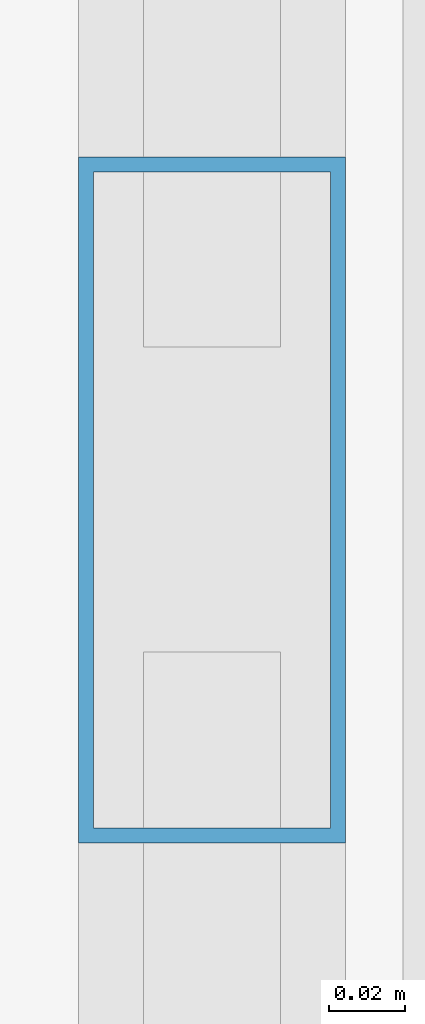
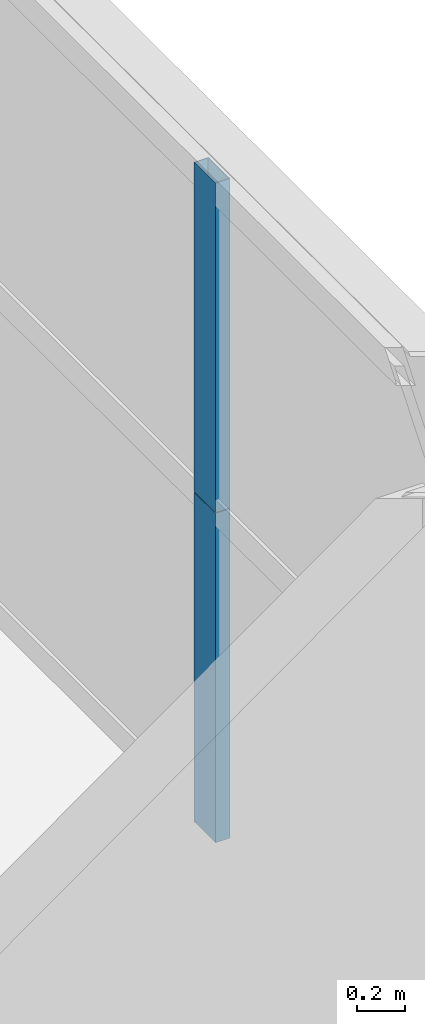
# One storey, part 28 of 38: 2 members, 1 element without a shape of its own.
"""IFC4 building model written with IfcOpenShell, lengths in metres."""

from ifc_helpers import new_model, si_unit, direction, frame, origin, origin_2d, place, context, subcontext, project, spatial, hollow_rectangle, extrude, source, transform, mapped, material, layer, layer_set, material_profile, profile_set, type_object, element, aggregate, save


model = new_model("IFC4")

# Units and contexts
model_context = context("Model", 3, precision=1e-05, world=origin(), true_north=direction((0.0, 1.0)))
body_context = subcontext(model_context, "Body", "Model", "MODEL_VIEW")
ifc_project = project(units=[si_unit("LENGTHUNIT", "METRE"), si_unit("AREAUNIT", "SQUARE_METRE"), si_unit("VOLUMEUNIT", "CUBIC_METRE"), si_unit("PLANEANGLEUNIT", "RADIAN"), si_unit("MASSUNIT", "GRAM", prefix="KILO"), si_unit("THERMODYNAMICTEMPERATUREUNIT", "KELVIN"), si_unit("POWERUNIT", "WATT")], contexts=[model_context])

# Site, building, storey
site_placement = place(None, origin())
site = spatial("IfcSite", under=ifc_project, at=site_placement, CompositionType="ELEMENT")
building_placement = place(site_placement, origin())
building = spatial("IfcBuilding", under=site, at=building_placement, Name="Yuzanri Waterfront Tower", CompositionType="ELEMENT")
storey_placement = place(building_placement, frame((0.0, 0.0, 119.0)))
storey = spatial("IfcBuildingStorey", under=building, at=storey_placement, Name="L31", CompositionType="ELEMENT", Elevation=119.0)

# Curtain wall, members
ifc_material_1 = material(Name="Anodized Architectural Bronze", Category="metal")
ifc_layer = layer(ifc_material_1, 0.159912109375)
ifc_layer_set = layer_set([ifc_layer], Name="Anodized Architectural Bronze")
curtain_wall_type = type_object("IfcCurtainWallType", Name="Anodized Bronze Hotel Upper-Tier Solar-Control Unitized Curtain Wall 7800", PredefinedType="NOTDEFINED", material=ifc_layer_set)
curtain_wall_placement = place(storey_placement, origin())
curtain_wall = element("IfcCurtainWall", 1, at=curtain_wall_placement, inside=storey, type_object=curtain_wall_type, Name="L31 Curtain Wall CW-L31-ER", PredefinedType="NOTDEFINED")
ifc_material_2 = material(Name="Anodized Architectural Bronze", Category="metal")
ifc_material_profile = material_profile(ifc_material_2, hollow_rectangle(XDim=0.070068359375, YDim=0.179931640625, WallThickness=0.00390625, at=origin_2d()), Name="CWM 70x180")
ifc_profile_set = profile_set([ifc_material_profile], Name="Anodized Architectural Bronze")
member_type = type_object("IfcMemberType", Name="Anodized Bronze Standard Curtain-Wall Mullion 70x180", PredefinedType="MULLION", material=ifc_profile_set)
shared_shape = source(origin(), body_context, "Body", "SweptSolid", [
    extrude(hollow_rectangle(XDim=0.070068359375, YDim=0.179931640625, WallThickness=0.00390625, at=origin_2d()), origin(), (0.0, 0.0, 1.0), 1.68798828125),
])
member_1_placement = place(storey_placement, frame((60.449951171875, 34.14990234375, 0.0), z_axis=(0.0, 0.0, 1.0), x_axis=(1.0, 0.0, 0.0)))
member_1 = element("IfcMember", 2, at=member_1_placement, type_object=member_type, Name="CW-L31-ER Lower Mullion 01", PredefinedType="MULLION", context=body_context, shape_type="MappedRepresentation", body=[
    mapped(shared_shape, transform((0.0, 0.0, 0.0), scale=1.0)),
])
member_2_placement = place(storey_placement, frame((60.449951171875, 34.14990234375, 1.69189453125), z_axis=(0.0, 0.0, 1.0), x_axis=(1.0, 0.0, 0.0)))
member_2 = element("IfcMember", 3, at=member_2_placement, type_object=member_type, Name="CW-L31-ER Upper Mullion 01", PredefinedType="MULLION", context=body_context, shape_type="MappedRepresentation", body=[
    mapped(shared_shape, transform((0.0, 0.0, 0.0), scale=1.0)),
])
aggregate(curtain_wall, [member_1, member_2])

save(model, "model.ifc")
